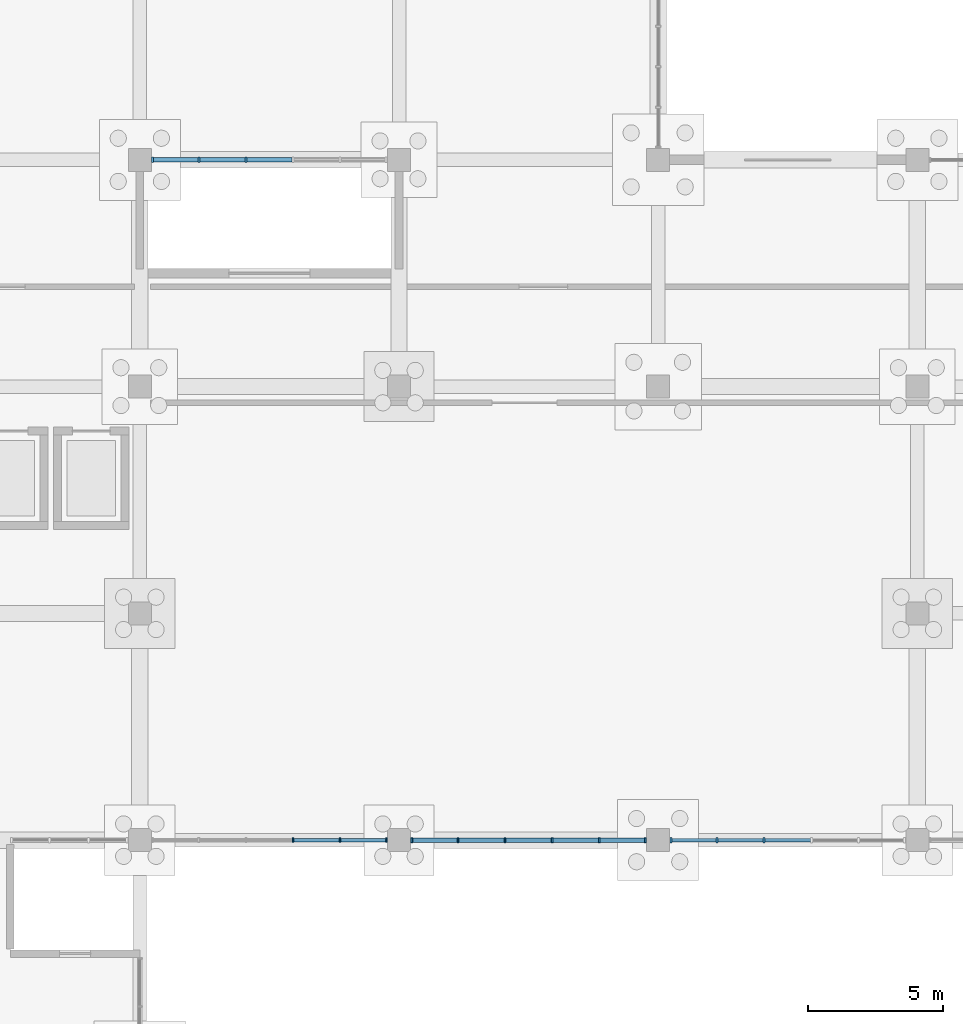
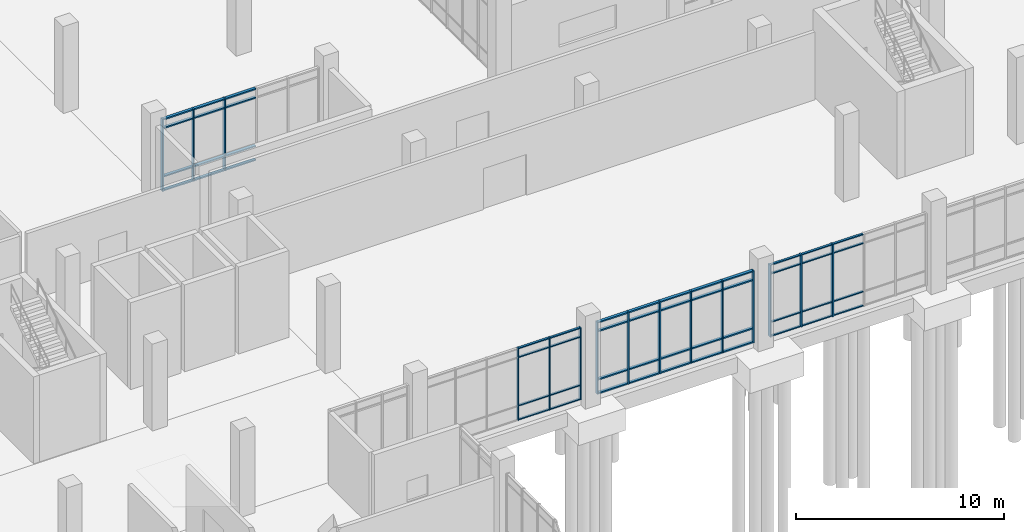
# One storey, part 41 of 136: 67 members, 4 elements without a shape of their own.
"""IFC4 building model written with IfcOpenShell, lengths in metres."""

from ifc_helpers import new_model, si_unit, direction, frame, origin, origin_2d, place, context, subcontext, project, spatial, rectangle, extrude, material, material_profile, profile_set, type_object, element, aggregate, save


model = new_model("IFC4")

# Units and contexts
model_context = context("Model", 3, precision=1e-05, world=origin(), true_north=direction((0.0, 1.0)))
body_context = subcontext(model_context, "Body", "Model", "MODEL_VIEW")
ifc_project = project(units=[si_unit("LENGTHUNIT", "METRE"), si_unit("AREAUNIT", "SQUARE_METRE"), si_unit("VOLUMEUNIT", "CUBIC_METRE"), si_unit("PLANEANGLEUNIT", "RADIAN"), si_unit("MASSUNIT", "GRAM", prefix="KILO")], contexts=[model_context])

# Site, building, storey
site_placement = place(None, origin())
site = spatial("IfcSite", under=ifc_project, at=site_placement, CompositionType="ELEMENT")
building_placement = place(site_placement, origin())
building = spatial("IfcBuilding", under=site, at=building_placement, Name="Oolite Switchyard Hospital", CompositionType="ELEMENT")
storey_placement = place(building_placement, origin())
storey = spatial("IfcBuildingStorey", under=building, at=storey_placement, Name="L00", CompositionType="ELEMENT", Elevation=0.0)

# Curtain wall, members
ifc_material_1 = material(Name="Thermally broken aluminum frame with laminated impact glazing", Category="aluminium")
curtain_wall_type = type_object("IfcCurtainWallType", Name="CW-UNIT-96X51", PredefinedType="USERDEFINED", material=ifc_material_1)
curtain_wall_1_placement = place(storey_placement, origin())
curtain_wall_1 = element("IfcCurtainWall", 1, at=curtain_wall_1_placement, inside=storey, type_object=curtain_wall_type, Name="L00 Unitised Curtain Wall 30", ObjectType="UNITISED", PredefinedType="USERDEFINED")
ifc_material_2 = material(Name="Aluminium 6063-T6", Category="aluminium")
ifc_material_profile_1 = material_profile(ifc_material_2, rectangle(XDim=0.159912109375, YDim=0.06005859375, at=origin_2d()), Name="CWM60X160")
ifc_profile_set_1 = profile_set([ifc_material_profile_1], Name="Aluminium 6063-T6")
member_type_1 = type_object("IfcMemberType", Name="CW-MUL-180", PredefinedType="MULLION", material=ifc_profile_set_1)
member_1_placement = place(storey_placement, frame((66.72998046875, 84.0, 0.0), z_axis=(0.0, 0.0, 1.0), x_axis=(0.0, -1.0, 0.0)))
member_1 = element("IfcMember", 2, at=member_1_placement, type_object=member_type_1, Name="CW-01 mullion 1", PredefinedType="MULLION", context=body_context, shape_type="SweptSolid", body=[
    extrude(rectangle(XDim=0.159912109375, YDim=0.06005859375, at=origin_2d()), origin(), (0.0, 0.0, 1.0), 4.239990234375),
])
member_2_placement = place(storey_placement, frame((65.01611328125, 84.0, 0.0), z_axis=(0.0, 0.0, 1.0), x_axis=(0.0, -1.0, 0.0)))
member_2 = element("IfcMember", 3, at=member_2_placement, type_object=member_type_1, Name="CW-01 mullion 2", PredefinedType="MULLION", context=body_context, shape_type="SweptSolid", body=[
    extrude(rectangle(XDim=0.159912109375, YDim=0.06005859375, at=origin_2d()), origin(), (0.0, 0.0, 1.0), 4.239990234375),
])
member_3_placement = place(storey_placement, frame((63.27197265625, 84.0, 0.0), z_axis=(0.0, 0.0, 1.0), x_axis=(0.0, -1.0, 0.0)))
member_3 = element("IfcMember", 4, at=member_3_placement, type_object=member_type_1, Name="CW-01 mullion 3", PredefinedType="MULLION", context=body_context, shape_type="SweptSolid", body=[
    extrude(rectangle(XDim=0.159912109375, YDim=0.06005859375, at=origin_2d()), origin(), (0.0, 0.0, 1.0), 4.239990234375),
])

curtain_wall_2_placement = place(storey_placement, origin())
curtain_wall_2 = element("IfcCurtainWall", 5, at=curtain_wall_2_placement, inside=storey, type_object=curtain_wall_type, Name="L00 Unitised Curtain Wall 31", ObjectType="UNITISED", PredefinedType="USERDEFINED")
ifc_material_profile_2 = material_profile(ifc_material_2, rectangle(XDim=0.179931640625, YDim=0.070068359375, at=origin_2d()), Name="CWM70X180")
ifc_profile_set_2 = profile_set([ifc_material_profile_2], Name="Aluminium 6063-T6")
member_type_2 = type_object("IfcMemberType", Name="CW-MUL-220", PredefinedType="MULLION", material=ifc_profile_set_2)
member_4_placement = place(storey_placement, frame((76.324951171875, 84.0, 0.0), z_axis=(0.0, 0.0, 1.0), x_axis=(0.0, -1.0, 0.0)))
member_4 = element("IfcMember", 6, at=member_4_placement, type_object=member_type_2, Name="CW-01 mullion 1", PredefinedType="MULLION", context=body_context, shape_type="SweptSolid", body=[
    extrude(rectangle(XDim=0.179931640625, YDim=0.070068359375, at=origin_2d()), origin(), (0.0, 0.0, 1.0), 4.239990234375),
])
member_5_placement = place(storey_placement, frame((74.615966796875, 84.0, 0.0), z_axis=(0.0, 0.0, 1.0), x_axis=(0.0, -1.0, 0.0)))
member_5 = element("IfcMember", 7, at=member_5_placement, type_object=member_type_2, Name="CW-01 mullion 2", PredefinedType="MULLION", context=body_context, shape_type="SweptSolid", body=[
    extrude(rectangle(XDim=0.179931640625, YDim=0.070068359375, at=origin_2d()), origin(), (0.0, 0.0, 1.0), 4.239990234375),
])
member_6_placement = place(storey_placement, frame((72.8720703125, 84.0, 0.0), z_axis=(0.0, 0.0, 1.0), x_axis=(0.0, -1.0, 0.0)))
member_6 = element("IfcMember", 8, at=member_6_placement, type_object=member_type_2, Name="CW-01 mullion 3", PredefinedType="MULLION", context=body_context, shape_type="SweptSolid", body=[
    extrude(rectangle(XDim=0.179931640625, YDim=0.070068359375, at=origin_2d()), origin(), (0.0, 0.0, 1.0), 4.239990234375),
])
member_7_placement = place(storey_placement, frame((71.1279296875, 84.0, 0.0), z_axis=(0.0, 0.0, 1.0), x_axis=(0.0, -1.0, 0.0)))
member_7 = element("IfcMember", 9, at=member_7_placement, type_object=member_type_2, Name="CW-01 mullion 4", PredefinedType="MULLION", context=body_context, shape_type="SweptSolid", body=[
    extrude(rectangle(XDim=0.179931640625, YDim=0.070068359375, at=origin_2d()), origin(), (0.0, 0.0, 1.0), 4.239990234375),
])
member_8_placement = place(storey_placement, frame((69.384033203125, 84.0, 0.0), z_axis=(0.0, 0.0, 1.0), x_axis=(0.0, -1.0, 0.0)))
member_8 = element("IfcMember", 10, at=member_8_placement, type_object=member_type_2, Name="CW-01 mullion 5", PredefinedType="MULLION", context=body_context, shape_type="SweptSolid", body=[
    extrude(rectangle(XDim=0.179931640625, YDim=0.070068359375, at=origin_2d()), origin(), (0.0, 0.0, 1.0), 4.239990234375),
])
member_9_placement = place(storey_placement, frame((67.675048828125, 84.0, 0.0), z_axis=(0.0, 0.0, 1.0), x_axis=(0.0, -1.0, 0.0)))
member_9 = element("IfcMember", 11, at=member_9_placement, type_object=member_type_2, Name="CW-01 mullion 6", PredefinedType="MULLION", context=body_context, shape_type="SweptSolid", body=[
    extrude(rectangle(XDim=0.179931640625, YDim=0.070068359375, at=origin_2d()), origin(), (0.0, 0.0, 1.0), 4.239990234375),
])

curtain_wall_3_placement = place(storey_placement, origin())
curtain_wall_3 = element("IfcCurtainWall", 12, at=curtain_wall_3_placement, inside=storey, type_object=curtain_wall_type, Name="L00 Unitised Curtain Wall 32", ObjectType="UNITISED", PredefinedType="USERDEFINED")
ifc_material_profile_3 = material_profile(ifc_material_2, rectangle(XDim=0.199951171875, YDim=0.074951171875, at=origin_2d()), Name="CWM75X200")
ifc_profile_set_3 = profile_set([ifc_material_profile_3], Name="Aluminium 6063-T6")
member_type_3 = type_object("IfcMemberType", Name="CW-MUL-260", PredefinedType="MULLION", material=ifc_profile_set_3)
member_10_placement = place(storey_placement, frame((80.72802734375, 84.0, 0.0), z_axis=(0.0, 0.0, 1.0), x_axis=(0.0, -1.0, 0.0)))
member_10 = element("IfcMember", 13, at=member_10_placement, type_object=member_type_3, Name="CW-01 mullion 4", PredefinedType="MULLION", context=body_context, shape_type="SweptSolid", body=[
    extrude(rectangle(XDim=0.199951171875, YDim=0.074951171875, at=origin_2d()), origin(), (0.0, 0.0, 1.0), 4.239990234375),
])
member_11_placement = place(storey_placement, frame((78.98388671875, 84.0, 0.0), z_axis=(0.0, 0.0, 1.0), x_axis=(0.0, -1.0, 0.0)))
member_11 = element("IfcMember", 14, at=member_11_placement, type_object=member_type_3, Name="CW-01 mullion 5", PredefinedType="MULLION", context=body_context, shape_type="SweptSolid", body=[
    extrude(rectangle(XDim=0.199951171875, YDim=0.074951171875, at=origin_2d()), origin(), (0.0, 0.0, 1.0), 4.239990234375),
])
member_12_placement = place(storey_placement, frame((77.277587890625, 84.0, 0.0), z_axis=(0.0, 0.0, 1.0), x_axis=(0.0, -1.0, 0.0)))
member_12 = element("IfcMember", 15, at=member_12_placement, type_object=member_type_3, Name="CW-01 mullion 6", PredefinedType="MULLION", context=body_context, shape_type="SweptSolid", body=[
    extrude(rectangle(XDim=0.199951171875, YDim=0.074951171875, at=origin_2d()), origin(), (0.0, 0.0, 1.0), 4.239990234375),
])

curtain_wall_4_placement = place(storey_placement, origin())
curtain_wall_4 = element("IfcCurtainWall", 16, at=curtain_wall_4_placement, inside=storey, type_object=curtain_wall_type, Name="L00 Unitised Curtain Wall 41", ObjectType="UNITISED", PredefinedType="USERDEFINED")
member_13_placement = place(storey_placement, frame((61.528076171875, 109.199951171875, 0.0), z_axis=(0.0, 0.0, 1.0), x_axis=(0.0, -1.0, 0.0)))
member_13 = element("IfcMember", 17, at=member_13_placement, type_object=member_type_3, Name="CW-01 mullion 4", PredefinedType="MULLION", context=body_context, shape_type="SweptSolid", body=[
    extrude(rectangle(XDim=0.199951171875, YDim=0.074951171875, at=origin_2d()), origin(), (0.0, 0.0, 1.0), 4.239990234375),
])
member_14_placement = place(storey_placement, frame((59.783935546875, 109.199951171875, 0.0), z_axis=(0.0, 0.0, 1.0), x_axis=(0.0, -1.0, 0.0)))
member_14 = element("IfcMember", 18, at=member_14_placement, type_object=member_type_3, Name="CW-01 mullion 5", PredefinedType="MULLION", context=body_context, shape_type="SweptSolid", body=[
    extrude(rectangle(XDim=0.199951171875, YDim=0.074951171875, at=origin_2d()), origin(), (0.0, 0.0, 1.0), 4.239990234375),
])
member_15_placement = place(storey_placement, frame((58.077392578125, 109.199951171875, 0.0), z_axis=(0.0, 0.0, 1.0), x_axis=(0.0, -1.0, 0.0)))
member_15 = element("IfcMember", 19, at=member_15_placement, type_object=member_type_3, Name="CW-01 mullion 6", PredefinedType="MULLION", context=body_context, shape_type="SweptSolid", body=[
    extrude(rectangle(XDim=0.199951171875, YDim=0.074951171875, at=origin_2d()), origin(), (0.0, 0.0, 1.0), 4.239990234375),
])

# Member
ifc_material_profile_4 = material_profile(ifc_material_2, rectangle(XDim=0.1201171875, YDim=0.06005859375, at=origin_2d()), Name="CWT60X120")
ifc_profile_set_4 = profile_set([ifc_material_profile_4], Name="Aluminium 6063-T6")
member_type_4 = type_object("IfcMemberType", Name="CW-TRN-150", PredefinedType="USERDEFINED", material=ifc_profile_set_4)
member_16_placement = place(storey_placement, frame((66.699951171875, 84.0, 0.030029296875), z_axis=(-1.0, 0.0, 0.0), x_axis=(0.0, -1.0, 0.0)))
member_16 = element("IfcMember", 20, at=member_16_placement, type_object=member_type_4, Name="CW-01 transom 1.1", ObjectType="TRANSOM", PredefinedType="USERDEFINED", context=body_context, shape_type="SweptSolid", body=[
    extrude(rectangle(XDim=0.1201171875, YDim=0.06005859375, at=origin_2d()), origin(), (0.0, 0.0, 1.0), 1.654052734375),
])

member_17_placement = place(storey_placement, frame((66.699951171875, 84.0, 0.85009765625), z_axis=(-1.0, 0.0, 0.0), x_axis=(0.0, -1.0, 0.0)))
member_17 = element("IfcMember", 21, at=member_17_placement, type_object=member_type_4, Name="CW-01 transom 1.2", ObjectType="TRANSOM", PredefinedType="USERDEFINED", context=body_context, shape_type="SweptSolid", body=[
    extrude(rectangle(XDim=0.1201171875, YDim=0.06005859375, at=origin_2d()), origin(), (0.0, 0.0, 1.0), 1.654052734375),
])

member_18_placement = place(storey_placement, frame((66.699951171875, 84.0, 3.68994140625), z_axis=(-1.0, 0.0, 0.0), x_axis=(0.0, -1.0, 0.0)))
member_18 = element("IfcMember", 22, at=member_18_placement, type_object=member_type_4, Name="CW-01 transom 1.3", ObjectType="TRANSOM", PredefinedType="USERDEFINED", context=body_context, shape_type="SweptSolid", body=[
    extrude(rectangle(XDim=0.1201171875, YDim=0.06005859375, at=origin_2d()), origin(), (0.0, 0.0, 1.0), 1.654052734375),
])

member_19_placement = place(storey_placement, frame((66.699951171875, 84.0, 4.2099609375), z_axis=(-1.0, 0.0, 0.0), x_axis=(0.0, -1.0, 0.0)))
member_19 = element("IfcMember", 23, at=member_19_placement, type_object=member_type_4, Name="CW-01 transom 1.4", ObjectType="TRANSOM", PredefinedType="USERDEFINED", context=body_context, shape_type="SweptSolid", body=[
    extrude(rectangle(XDim=0.1201171875, YDim=0.06005859375, at=origin_2d()), origin(), (0.0, 0.0, 1.0), 1.654052734375),
])

member_20_placement = place(storey_placement, frame((64.986083984375, 84.0, 0.030029296875), z_axis=(-1.0, 0.0, 0.0), x_axis=(0.0, -1.0, 0.0)))
member_20 = element("IfcMember", 24, at=member_20_placement, type_object=member_type_4, Name="CW-01 transom 2.1", ObjectType="TRANSOM", PredefinedType="USERDEFINED", context=body_context, shape_type="SweptSolid", body=[
    extrude(rectangle(XDim=0.1201171875, YDim=0.06005859375, at=origin_2d()), origin(), (0.0, 0.0, 1.0), 1.68408203125),
])

member_21_placement = place(storey_placement, frame((64.986083984375, 84.0, 0.85009765625), z_axis=(-1.0, 0.0, 0.0), x_axis=(0.0, -1.0, 0.0)))
member_21 = element("IfcMember", 25, at=member_21_placement, type_object=member_type_4, Name="CW-01 transom 2.2", ObjectType="TRANSOM", PredefinedType="USERDEFINED", context=body_context, shape_type="SweptSolid", body=[
    extrude(rectangle(XDim=0.1201171875, YDim=0.06005859375, at=origin_2d()), origin(), (0.0, 0.0, 1.0), 1.68408203125),
])

member_22_placement = place(storey_placement, frame((64.986083984375, 84.0, 3.68994140625), z_axis=(-1.0, 0.0, 0.0), x_axis=(0.0, -1.0, 0.0)))
member_22 = element("IfcMember", 26, at=member_22_placement, type_object=member_type_4, Name="CW-01 transom 2.3", ObjectType="TRANSOM", PredefinedType="USERDEFINED", context=body_context, shape_type="SweptSolid", body=[
    extrude(rectangle(XDim=0.1201171875, YDim=0.06005859375, at=origin_2d()), origin(), (0.0, 0.0, 1.0), 1.68408203125),
])

member_23_placement = place(storey_placement, frame((64.986083984375, 84.0, 4.2099609375), z_axis=(-1.0, 0.0, 0.0), x_axis=(0.0, -1.0, 0.0)))
member_23 = element("IfcMember", 27, at=member_23_placement, type_object=member_type_4, Name="CW-01 transom 2.4", ObjectType="TRANSOM", PredefinedType="USERDEFINED", context=body_context, shape_type="SweptSolid", body=[
    extrude(rectangle(XDim=0.1201171875, YDim=0.06005859375, at=origin_2d()), origin(), (0.0, 0.0, 1.0), 1.68408203125),
])

aggregate(curtain_wall_1, [member_1, member_2, member_3, member_16, member_17, member_18, member_19, member_20, member_21, member_22, member_23])

member_24_placement = place(storey_placement, frame((82.4345703125, 84.0, 0.030029296875), z_axis=(-1.0, 0.0, 0.0), x_axis=(0.0, -1.0, 0.0)))
member_24 = element("IfcMember", 28, at=member_24_placement, type_object=member_type_4, Name="CW-01 transom 3.1", ObjectType="TRANSOM", PredefinedType="USERDEFINED", context=body_context, shape_type="SweptSolid", body=[
    extrude(rectangle(XDim=0.1201171875, YDim=0.06005859375, at=origin_2d()), origin(), (0.0, 0.0, 1.0), 1.669189453125),
])

member_25_placement = place(storey_placement, frame((82.4345703125, 84.0, 0.85009765625), z_axis=(-1.0, 0.0, 0.0), x_axis=(0.0, -1.0, 0.0)))
member_25 = element("IfcMember", 29, at=member_25_placement, type_object=member_type_4, Name="CW-01 transom 3.2", ObjectType="TRANSOM", PredefinedType="USERDEFINED", context=body_context, shape_type="SweptSolid", body=[
    extrude(rectangle(XDim=0.1201171875, YDim=0.06005859375, at=origin_2d()), origin(), (0.0, 0.0, 1.0), 1.669189453125),
])

member_26_placement = place(storey_placement, frame((82.4345703125, 84.0, 3.68994140625), z_axis=(-1.0, 0.0, 0.0), x_axis=(0.0, -1.0, 0.0)))
member_26 = element("IfcMember", 30, at=member_26_placement, type_object=member_type_4, Name="CW-01 transom 3.3", ObjectType="TRANSOM", PredefinedType="USERDEFINED", context=body_context, shape_type="SweptSolid", body=[
    extrude(rectangle(XDim=0.1201171875, YDim=0.06005859375, at=origin_2d()), origin(), (0.0, 0.0, 1.0), 1.669189453125),
])

member_27_placement = place(storey_placement, frame((82.4345703125, 84.0, 4.2099609375), z_axis=(-1.0, 0.0, 0.0), x_axis=(0.0, -1.0, 0.0)))
member_27 = element("IfcMember", 31, at=member_27_placement, type_object=member_type_4, Name="CW-01 transom 3.4", ObjectType="TRANSOM", PredefinedType="USERDEFINED", context=body_context, shape_type="SweptSolid", body=[
    extrude(rectangle(XDim=0.1201171875, YDim=0.06005859375, at=origin_2d()), origin(), (0.0, 0.0, 1.0), 1.669189453125),
])

member_28_placement = place(storey_placement, frame((80.6904296875, 84.0, 0.030029296875), z_axis=(-1.0, 0.0, 0.0), x_axis=(0.0, -1.0, 0.0)))
member_28 = element("IfcMember", 32, at=member_28_placement, type_object=member_type_4, Name="CW-01 transom 4.1", ObjectType="TRANSOM", PredefinedType="USERDEFINED", context=body_context, shape_type="SweptSolid", body=[
    extrude(rectangle(XDim=0.1201171875, YDim=0.06005859375, at=origin_2d()), origin(), (0.0, 0.0, 1.0), 1.6689453125),
])

member_29_placement = place(storey_placement, frame((80.6904296875, 84.0, 0.85009765625), z_axis=(-1.0, 0.0, 0.0), x_axis=(0.0, -1.0, 0.0)))
member_29 = element("IfcMember", 33, at=member_29_placement, type_object=member_type_4, Name="CW-01 transom 4.2", ObjectType="TRANSOM", PredefinedType="USERDEFINED", context=body_context, shape_type="SweptSolid", body=[
    extrude(rectangle(XDim=0.1201171875, YDim=0.06005859375, at=origin_2d()), origin(), (0.0, 0.0, 1.0), 1.6689453125),
])

member_30_placement = place(storey_placement, frame((80.6904296875, 84.0, 3.68994140625), z_axis=(-1.0, 0.0, 0.0), x_axis=(0.0, -1.0, 0.0)))
member_30 = element("IfcMember", 34, at=member_30_placement, type_object=member_type_4, Name="CW-01 transom 4.3", ObjectType="TRANSOM", PredefinedType="USERDEFINED", context=body_context, shape_type="SweptSolid", body=[
    extrude(rectangle(XDim=0.1201171875, YDim=0.06005859375, at=origin_2d()), origin(), (0.0, 0.0, 1.0), 1.6689453125),
])

member_31_placement = place(storey_placement, frame((80.6904296875, 84.0, 4.2099609375), z_axis=(-1.0, 0.0, 0.0), x_axis=(0.0, -1.0, 0.0)))
member_31 = element("IfcMember", 35, at=member_31_placement, type_object=member_type_4, Name="CW-01 transom 4.4", ObjectType="TRANSOM", PredefinedType="USERDEFINED", context=body_context, shape_type="SweptSolid", body=[
    extrude(rectangle(XDim=0.1201171875, YDim=0.06005859375, at=origin_2d()), origin(), (0.0, 0.0, 1.0), 1.6689453125),
])

member_32_placement = place(storey_placement, frame((78.946533203125, 84.0, 0.030029296875), z_axis=(-1.0, 0.0, 0.0), x_axis=(0.0, -1.0, 0.0)))
member_32 = element("IfcMember", 36, at=member_32_placement, type_object=member_type_4, Name="CW-01 transom 5.1", ObjectType="TRANSOM", PredefinedType="USERDEFINED", context=body_context, shape_type="SweptSolid", body=[
    extrude(rectangle(XDim=0.1201171875, YDim=0.06005859375, at=origin_2d()), origin(), (0.0, 0.0, 1.0), 1.631591796875),
])

member_33_placement = place(storey_placement, frame((78.946533203125, 84.0, 0.85009765625), z_axis=(-1.0, 0.0, 0.0), x_axis=(0.0, -1.0, 0.0)))
member_33 = element("IfcMember", 37, at=member_33_placement, type_object=member_type_4, Name="CW-01 transom 5.2", ObjectType="TRANSOM", PredefinedType="USERDEFINED", context=body_context, shape_type="SweptSolid", body=[
    extrude(rectangle(XDim=0.1201171875, YDim=0.06005859375, at=origin_2d()), origin(), (0.0, 0.0, 1.0), 1.631591796875),
])

member_34_placement = place(storey_placement, frame((78.946533203125, 84.0, 3.68994140625), z_axis=(-1.0, 0.0, 0.0), x_axis=(0.0, -1.0, 0.0)))
member_34 = element("IfcMember", 38, at=member_34_placement, type_object=member_type_4, Name="CW-01 transom 5.3", ObjectType="TRANSOM", PredefinedType="USERDEFINED", context=body_context, shape_type="SweptSolid", body=[
    extrude(rectangle(XDim=0.1201171875, YDim=0.06005859375, at=origin_2d()), origin(), (0.0, 0.0, 1.0), 1.631591796875),
])

member_35_placement = place(storey_placement, frame((78.946533203125, 84.0, 4.2099609375), z_axis=(-1.0, 0.0, 0.0), x_axis=(0.0, -1.0, 0.0)))
member_35 = element("IfcMember", 39, at=member_35_placement, type_object=member_type_4, Name="CW-01 transom 5.4", ObjectType="TRANSOM", PredefinedType="USERDEFINED", context=body_context, shape_type="SweptSolid", body=[
    extrude(rectangle(XDim=0.1201171875, YDim=0.06005859375, at=origin_2d()), origin(), (0.0, 0.0, 1.0), 1.631591796875),
])

aggregate(curtain_wall_3, [member_10, member_11, member_12, member_24, member_25, member_26, member_27, member_28, member_29, member_30, member_31, member_32, member_33, member_34, member_35])

ifc_material_profile_5 = material_profile(ifc_material_2, rectangle(XDim=0.159912109375, YDim=0.074951171875, at=origin_2d()), Name="CWT75X160")
ifc_profile_set_5 = profile_set([ifc_material_profile_5], Name="Aluminium 6063-T6")
member_type_5 = type_object("IfcMemberType", Name="CW-TRN-180", PredefinedType="USERDEFINED", material=ifc_profile_set_5)
member_36_placement = place(storey_placement, frame((76.2900390625, 84.0, 0.03759765625), z_axis=(-1.0, 0.0, 0.0), x_axis=(0.0, -1.0, 0.0)))
member_36 = element("IfcMember", 40, at=member_36_placement, type_object=member_type_5, Name="CW-01 transom 1.1", ObjectType="TRANSOM", PredefinedType="USERDEFINED", context=body_context, shape_type="SweptSolid", body=[
    extrude(rectangle(XDim=0.159912109375, YDim=0.074951171875, at=origin_2d()), origin(), (0.0, 0.0, 1.0), 1.63916015625),
])

member_37_placement = place(storey_placement, frame((76.2900390625, 84.0, 0.85009765625), z_axis=(-1.0, 0.0, 0.0), x_axis=(0.0, -1.0, 0.0)))
member_37 = element("IfcMember", 41, at=member_37_placement, type_object=member_type_5, Name="CW-01 transom 1.2", ObjectType="TRANSOM", PredefinedType="USERDEFINED", context=body_context, shape_type="SweptSolid", body=[
    extrude(rectangle(XDim=0.159912109375, YDim=0.074951171875, at=origin_2d()), origin(), (0.0, 0.0, 1.0), 1.63916015625),
])

member_38_placement = place(storey_placement, frame((76.2900390625, 84.0, 3.68994140625), z_axis=(-1.0, 0.0, 0.0), x_axis=(0.0, -1.0, 0.0)))
member_38 = element("IfcMember", 42, at=member_38_placement, type_object=member_type_5, Name="CW-01 transom 1.3", ObjectType="TRANSOM", PredefinedType="USERDEFINED", context=body_context, shape_type="SweptSolid", body=[
    extrude(rectangle(XDim=0.159912109375, YDim=0.074951171875, at=origin_2d()), origin(), (0.0, 0.0, 1.0), 1.63916015625),
])

member_39_placement = place(storey_placement, frame((76.2900390625, 84.0, 4.202392578125), z_axis=(-1.0, 0.0, 0.0), x_axis=(0.0, -1.0, 0.0)))
member_39 = element("IfcMember", 43, at=member_39_placement, type_object=member_type_5, Name="CW-01 transom 1.4", ObjectType="TRANSOM", PredefinedType="USERDEFINED", context=body_context, shape_type="SweptSolid", body=[
    extrude(rectangle(XDim=0.159912109375, YDim=0.074951171875, at=origin_2d()), origin(), (0.0, 0.0, 1.0), 1.63916015625),
])

member_40_placement = place(storey_placement, frame((74.5810546875, 84.0, 0.03759765625), z_axis=(-1.0, 0.0, 0.0), x_axis=(0.0, -1.0, 0.0)))
member_40 = element("IfcMember", 44, at=member_40_placement, type_object=member_type_5, Name="CW-01 transom 2.1", ObjectType="TRANSOM", PredefinedType="USERDEFINED", context=body_context, shape_type="SweptSolid", body=[
    extrude(rectangle(XDim=0.159912109375, YDim=0.074951171875, at=origin_2d()), origin(), (0.0, 0.0, 1.0), 1.674072265625),
])

member_41_placement = place(storey_placement, frame((74.5810546875, 84.0, 0.85009765625), z_axis=(-1.0, 0.0, 0.0), x_axis=(0.0, -1.0, 0.0)))
member_41 = element("IfcMember", 45, at=member_41_placement, type_object=member_type_5, Name="CW-01 transom 2.2", ObjectType="TRANSOM", PredefinedType="USERDEFINED", context=body_context, shape_type="SweptSolid", body=[
    extrude(rectangle(XDim=0.159912109375, YDim=0.074951171875, at=origin_2d()), origin(), (0.0, 0.0, 1.0), 1.674072265625),
])

member_42_placement = place(storey_placement, frame((74.5810546875, 84.0, 3.68994140625), z_axis=(-1.0, 0.0, 0.0), x_axis=(0.0, -1.0, 0.0)))
member_42 = element("IfcMember", 46, at=member_42_placement, type_object=member_type_5, Name="CW-01 transom 2.3", ObjectType="TRANSOM", PredefinedType="USERDEFINED", context=body_context, shape_type="SweptSolid", body=[
    extrude(rectangle(XDim=0.159912109375, YDim=0.074951171875, at=origin_2d()), origin(), (0.0, 0.0, 1.0), 1.674072265625),
])

member_43_placement = place(storey_placement, frame((74.5810546875, 84.0, 4.202392578125), z_axis=(-1.0, 0.0, 0.0), x_axis=(0.0, -1.0, 0.0)))
member_43 = element("IfcMember", 47, at=member_43_placement, type_object=member_type_5, Name="CW-01 transom 2.4", ObjectType="TRANSOM", PredefinedType="USERDEFINED", context=body_context, shape_type="SweptSolid", body=[
    extrude(rectangle(XDim=0.159912109375, YDim=0.074951171875, at=origin_2d()), origin(), (0.0, 0.0, 1.0), 1.674072265625),
])

member_44_placement = place(storey_placement, frame((72.8369140625, 84.0, 0.03759765625), z_axis=(-1.0, 0.0, 0.0), x_axis=(0.0, -1.0, 0.0)))
member_44 = element("IfcMember", 48, at=member_44_placement, type_object=member_type_5, Name="CW-01 transom 3.1", ObjectType="TRANSOM", PredefinedType="USERDEFINED", context=body_context, shape_type="SweptSolid", body=[
    extrude(rectangle(XDim=0.159912109375, YDim=0.074951171875, at=origin_2d()), origin(), (0.0, 0.0, 1.0), 1.673828125),
])

member_45_placement = place(storey_placement, frame((72.8369140625, 84.0, 0.85009765625), z_axis=(-1.0, 0.0, 0.0), x_axis=(0.0, -1.0, 0.0)))
member_45 = element("IfcMember", 49, at=member_45_placement, type_object=member_type_5, Name="CW-01 transom 3.2", ObjectType="TRANSOM", PredefinedType="USERDEFINED", context=body_context, shape_type="SweptSolid", body=[
    extrude(rectangle(XDim=0.159912109375, YDim=0.074951171875, at=origin_2d()), origin(), (0.0, 0.0, 1.0), 1.673828125),
])

member_46_placement = place(storey_placement, frame((72.8369140625, 84.0, 3.68994140625), z_axis=(-1.0, 0.0, 0.0), x_axis=(0.0, -1.0, 0.0)))
member_46 = element("IfcMember", 50, at=member_46_placement, type_object=member_type_5, Name="CW-01 transom 3.3", ObjectType="TRANSOM", PredefinedType="USERDEFINED", context=body_context, shape_type="SweptSolid", body=[
    extrude(rectangle(XDim=0.159912109375, YDim=0.074951171875, at=origin_2d()), origin(), (0.0, 0.0, 1.0), 1.673828125),
])

member_47_placement = place(storey_placement, frame((72.8369140625, 84.0, 4.202392578125), z_axis=(-1.0, 0.0, 0.0), x_axis=(0.0, -1.0, 0.0)))
member_47 = element("IfcMember", 51, at=member_47_placement, type_object=member_type_5, Name="CW-01 transom 3.4", ObjectType="TRANSOM", PredefinedType="USERDEFINED", context=body_context, shape_type="SweptSolid", body=[
    extrude(rectangle(XDim=0.159912109375, YDim=0.074951171875, at=origin_2d()), origin(), (0.0, 0.0, 1.0), 1.673828125),
])

member_48_placement = place(storey_placement, frame((71.093017578125, 84.0, 0.03759765625), z_axis=(-1.0, 0.0, 0.0), x_axis=(0.0, -1.0, 0.0)))
member_48 = element("IfcMember", 52, at=member_48_placement, type_object=member_type_5, Name="CW-01 transom 4.1", ObjectType="TRANSOM", PredefinedType="USERDEFINED", context=body_context, shape_type="SweptSolid", body=[
    extrude(rectangle(XDim=0.159912109375, YDim=0.074951171875, at=origin_2d()), origin(), (0.0, 0.0, 1.0), 1.674072265625),
])

member_49_placement = place(storey_placement, frame((71.093017578125, 84.0, 0.85009765625), z_axis=(-1.0, 0.0, 0.0), x_axis=(0.0, -1.0, 0.0)))
member_49 = element("IfcMember", 53, at=member_49_placement, type_object=member_type_5, Name="CW-01 transom 4.2", ObjectType="TRANSOM", PredefinedType="USERDEFINED", context=body_context, shape_type="SweptSolid", body=[
    extrude(rectangle(XDim=0.159912109375, YDim=0.074951171875, at=origin_2d()), origin(), (0.0, 0.0, 1.0), 1.674072265625),
])

member_50_placement = place(storey_placement, frame((71.093017578125, 84.0, 3.68994140625), z_axis=(-1.0, 0.0, 0.0), x_axis=(0.0, -1.0, 0.0)))
member_50 = element("IfcMember", 54, at=member_50_placement, type_object=member_type_5, Name="CW-01 transom 4.3", ObjectType="TRANSOM", PredefinedType="USERDEFINED", context=body_context, shape_type="SweptSolid", body=[
    extrude(rectangle(XDim=0.159912109375, YDim=0.074951171875, at=origin_2d()), origin(), (0.0, 0.0, 1.0), 1.674072265625),
])

member_51_placement = place(storey_placement, frame((71.093017578125, 84.0, 4.202392578125), z_axis=(-1.0, 0.0, 0.0), x_axis=(0.0, -1.0, 0.0)))
member_51 = element("IfcMember", 55, at=member_51_placement, type_object=member_type_5, Name="CW-01 transom 4.4", ObjectType="TRANSOM", PredefinedType="USERDEFINED", context=body_context, shape_type="SweptSolid", body=[
    extrude(rectangle(XDim=0.159912109375, YDim=0.074951171875, at=origin_2d()), origin(), (0.0, 0.0, 1.0), 1.674072265625),
])

member_52_placement = place(storey_placement, frame((69.34912109375, 84.0, 0.03759765625), z_axis=(-1.0, 0.0, 0.0), x_axis=(0.0, -1.0, 0.0)))
member_52 = element("IfcMember", 56, at=member_52_placement, type_object=member_type_5, Name="CW-01 transom 5.1", ObjectType="TRANSOM", PredefinedType="USERDEFINED", context=body_context, shape_type="SweptSolid", body=[
    extrude(rectangle(XDim=0.159912109375, YDim=0.074951171875, at=origin_2d()), origin(), (0.0, 0.0, 1.0), 1.63916015625),
])

member_53_placement = place(storey_placement, frame((69.34912109375, 84.0, 0.85009765625), z_axis=(-1.0, 0.0, 0.0), x_axis=(0.0, -1.0, 0.0)))
member_53 = element("IfcMember", 57, at=member_53_placement, type_object=member_type_5, Name="CW-01 transom 5.2", ObjectType="TRANSOM", PredefinedType="USERDEFINED", context=body_context, shape_type="SweptSolid", body=[
    extrude(rectangle(XDim=0.159912109375, YDim=0.074951171875, at=origin_2d()), origin(), (0.0, 0.0, 1.0), 1.63916015625),
])

member_54_placement = place(storey_placement, frame((69.34912109375, 84.0, 3.68994140625), z_axis=(-1.0, 0.0, 0.0), x_axis=(0.0, -1.0, 0.0)))
member_54 = element("IfcMember", 58, at=member_54_placement, type_object=member_type_5, Name="CW-01 transom 5.3", ObjectType="TRANSOM", PredefinedType="USERDEFINED", context=body_context, shape_type="SweptSolid", body=[
    extrude(rectangle(XDim=0.159912109375, YDim=0.074951171875, at=origin_2d()), origin(), (0.0, 0.0, 1.0), 1.63916015625),
])

member_55_placement = place(storey_placement, frame((69.34912109375, 84.0, 4.202392578125), z_axis=(-1.0, 0.0, 0.0), x_axis=(0.0, -1.0, 0.0)))
member_55 = element("IfcMember", 59, at=member_55_placement, type_object=member_type_5, Name="CW-01 transom 5.4", ObjectType="TRANSOM", PredefinedType="USERDEFINED", context=body_context, shape_type="SweptSolid", body=[
    extrude(rectangle(XDim=0.159912109375, YDim=0.074951171875, at=origin_2d()), origin(), (0.0, 0.0, 1.0), 1.63916015625),
])

aggregate(curtain_wall_2, [member_4, member_5, member_6, member_7, member_8, member_9, member_36, member_37, member_38, member_39, member_40, member_41, member_42, member_43, member_44, member_45, member_46, member_47, member_48, member_49, member_50, member_51, member_52, member_53, member_54, member_55])

member_56_placement = place(storey_placement, frame((63.234619140625, 109.199951171875, 0.03759765625), z_axis=(-1.0, 0.0, 0.0), x_axis=(0.0, -1.0, 0.0)))
member_56 = element("IfcMember", 60, at=member_56_placement, type_object=member_type_5, Name="CW-01 transom 3.1", ObjectType="TRANSOM", PredefinedType="USERDEFINED", context=body_context, shape_type="SweptSolid", body=[
    extrude(rectangle(XDim=0.159912109375, YDim=0.074951171875, at=origin_2d()), origin(), (0.0, 0.0, 1.0), 1.669189453125),
])

member_57_placement = place(storey_placement, frame((63.234619140625, 109.199951171875, 0.85009765625), z_axis=(-1.0, 0.0, 0.0), x_axis=(0.0, -1.0, 0.0)))
member_57 = element("IfcMember", 61, at=member_57_placement, type_object=member_type_5, Name="CW-01 transom 3.2", ObjectType="TRANSOM", PredefinedType="USERDEFINED", context=body_context, shape_type="SweptSolid", body=[
    extrude(rectangle(XDim=0.159912109375, YDim=0.074951171875, at=origin_2d()), origin(), (0.0, 0.0, 1.0), 1.669189453125),
])

member_58_placement = place(storey_placement, frame((63.234619140625, 109.199951171875, 3.68994140625), z_axis=(-1.0, 0.0, 0.0), x_axis=(0.0, -1.0, 0.0)))
member_58 = element("IfcMember", 62, at=member_58_placement, type_object=member_type_5, Name="CW-01 transom 3.3", ObjectType="TRANSOM", PredefinedType="USERDEFINED", context=body_context, shape_type="SweptSolid", body=[
    extrude(rectangle(XDim=0.159912109375, YDim=0.074951171875, at=origin_2d()), origin(), (0.0, 0.0, 1.0), 1.669189453125),
])

member_59_placement = place(storey_placement, frame((63.234619140625, 109.199951171875, 4.202392578125), z_axis=(-1.0, 0.0, 0.0), x_axis=(0.0, -1.0, 0.0)))
member_59 = element("IfcMember", 63, at=member_59_placement, type_object=member_type_5, Name="CW-01 transom 3.4", ObjectType="TRANSOM", PredefinedType="USERDEFINED", context=body_context, shape_type="SweptSolid", body=[
    extrude(rectangle(XDim=0.159912109375, YDim=0.074951171875, at=origin_2d()), origin(), (0.0, 0.0, 1.0), 1.669189453125),
])

member_60_placement = place(storey_placement, frame((61.490478515625, 109.199951171875, 0.03759765625), z_axis=(-1.0, 0.0, 0.0), x_axis=(0.0, -1.0, 0.0)))
member_60 = element("IfcMember", 64, at=member_60_placement, type_object=member_type_5, Name="CW-01 transom 4.1", ObjectType="TRANSOM", PredefinedType="USERDEFINED", context=body_context, shape_type="SweptSolid", body=[
    extrude(rectangle(XDim=0.159912109375, YDim=0.074951171875, at=origin_2d()), origin(), (0.0, 0.0, 1.0), 1.6689453125),
])

member_61_placement = place(storey_placement, frame((61.490478515625, 109.199951171875, 0.85009765625), z_axis=(-1.0, 0.0, 0.0), x_axis=(0.0, -1.0, 0.0)))
member_61 = element("IfcMember", 65, at=member_61_placement, type_object=member_type_5, Name="CW-01 transom 4.2", ObjectType="TRANSOM", PredefinedType="USERDEFINED", context=body_context, shape_type="SweptSolid", body=[
    extrude(rectangle(XDim=0.159912109375, YDim=0.074951171875, at=origin_2d()), origin(), (0.0, 0.0, 1.0), 1.6689453125),
])

member_62_placement = place(storey_placement, frame((61.490478515625, 109.199951171875, 3.68994140625), z_axis=(-1.0, 0.0, 0.0), x_axis=(0.0, -1.0, 0.0)))
member_62 = element("IfcMember", 66, at=member_62_placement, type_object=member_type_5, Name="CW-01 transom 4.3", ObjectType="TRANSOM", PredefinedType="USERDEFINED", context=body_context, shape_type="SweptSolid", body=[
    extrude(rectangle(XDim=0.159912109375, YDim=0.074951171875, at=origin_2d()), origin(), (0.0, 0.0, 1.0), 1.6689453125),
])

member_63_placement = place(storey_placement, frame((61.490478515625, 109.199951171875, 4.202392578125), z_axis=(-1.0, 0.0, 0.0), x_axis=(0.0, -1.0, 0.0)))
member_63 = element("IfcMember", 67, at=member_63_placement, type_object=member_type_5, Name="CW-01 transom 4.4", ObjectType="TRANSOM", PredefinedType="USERDEFINED", context=body_context, shape_type="SweptSolid", body=[
    extrude(rectangle(XDim=0.159912109375, YDim=0.074951171875, at=origin_2d()), origin(), (0.0, 0.0, 1.0), 1.6689453125),
])

member_64_placement = place(storey_placement, frame((59.74658203125, 109.199951171875, 0.03759765625), z_axis=(-1.0, 0.0, 0.0), x_axis=(0.0, -1.0, 0.0)))
member_64 = element("IfcMember", 68, at=member_64_placement, type_object=member_type_5, Name="CW-01 transom 5.1", ObjectType="TRANSOM", PredefinedType="USERDEFINED", context=body_context, shape_type="SweptSolid", body=[
    extrude(rectangle(XDim=0.159912109375, YDim=0.074951171875, at=origin_2d()), origin(), (0.0, 0.0, 1.0), 1.631591796875),
])

member_65_placement = place(storey_placement, frame((59.74658203125, 109.199951171875, 0.85009765625), z_axis=(-1.0, 0.0, 0.0), x_axis=(0.0, -1.0, 0.0)))
member_65 = element("IfcMember", 69, at=member_65_placement, type_object=member_type_5, Name="CW-01 transom 5.2", ObjectType="TRANSOM", PredefinedType="USERDEFINED", context=body_context, shape_type="SweptSolid", body=[
    extrude(rectangle(XDim=0.159912109375, YDim=0.074951171875, at=origin_2d()), origin(), (0.0, 0.0, 1.0), 1.631591796875),
])

member_66_placement = place(storey_placement, frame((59.74658203125, 109.199951171875, 3.68994140625), z_axis=(-1.0, 0.0, 0.0), x_axis=(0.0, -1.0, 0.0)))
member_66 = element("IfcMember", 70, at=member_66_placement, type_object=member_type_5, Name="CW-01 transom 5.3", ObjectType="TRANSOM", PredefinedType="USERDEFINED", context=body_context, shape_type="SweptSolid", body=[
    extrude(rectangle(XDim=0.159912109375, YDim=0.074951171875, at=origin_2d()), origin(), (0.0, 0.0, 1.0), 1.631591796875),
])

member_67_placement = place(storey_placement, frame((59.74658203125, 109.199951171875, 4.202392578125), z_axis=(-1.0, 0.0, 0.0), x_axis=(0.0, -1.0, 0.0)))
member_67 = element("IfcMember", 71, at=member_67_placement, type_object=member_type_5, Name="CW-01 transom 5.4", ObjectType="TRANSOM", PredefinedType="USERDEFINED", context=body_context, shape_type="SweptSolid", body=[
    extrude(rectangle(XDim=0.159912109375, YDim=0.074951171875, at=origin_2d()), origin(), (0.0, 0.0, 1.0), 1.631591796875),
])

aggregate(curtain_wall_4, [member_13, member_14, member_15, member_56, member_57, member_58, member_59, member_60, member_61, member_62, member_63, member_64, member_65, member_66, member_67])

save(model, "model.ifc")
